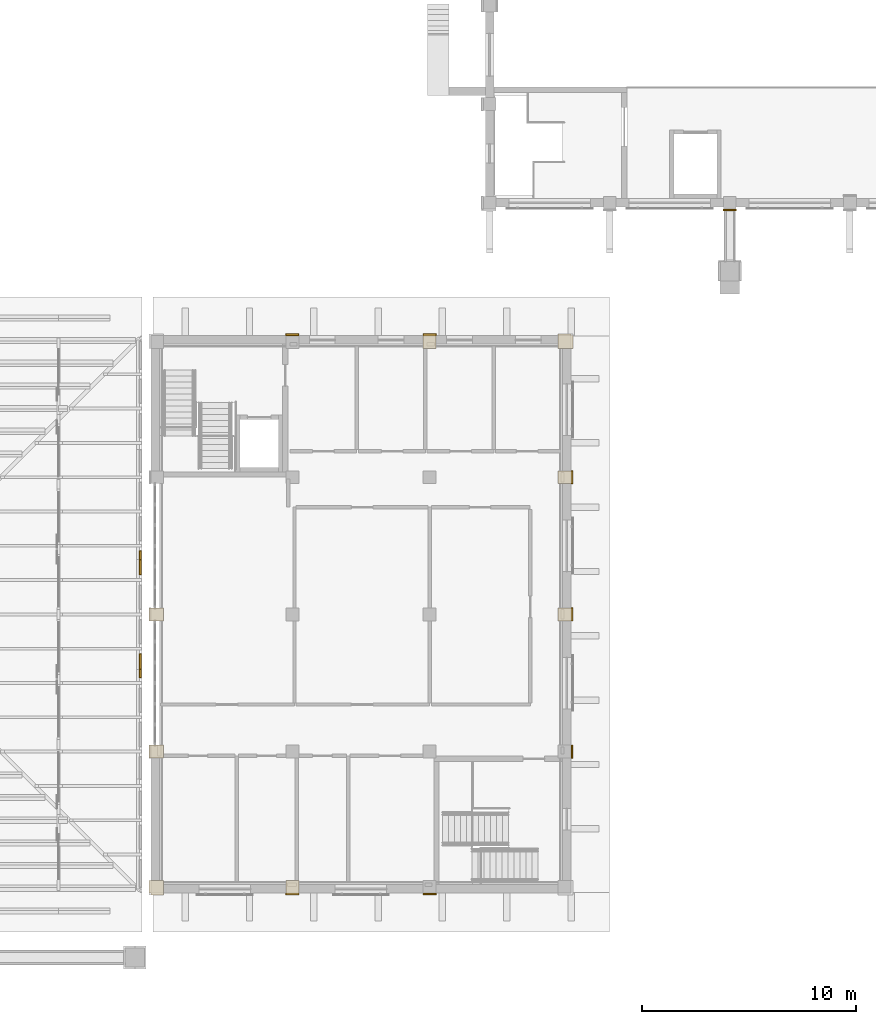
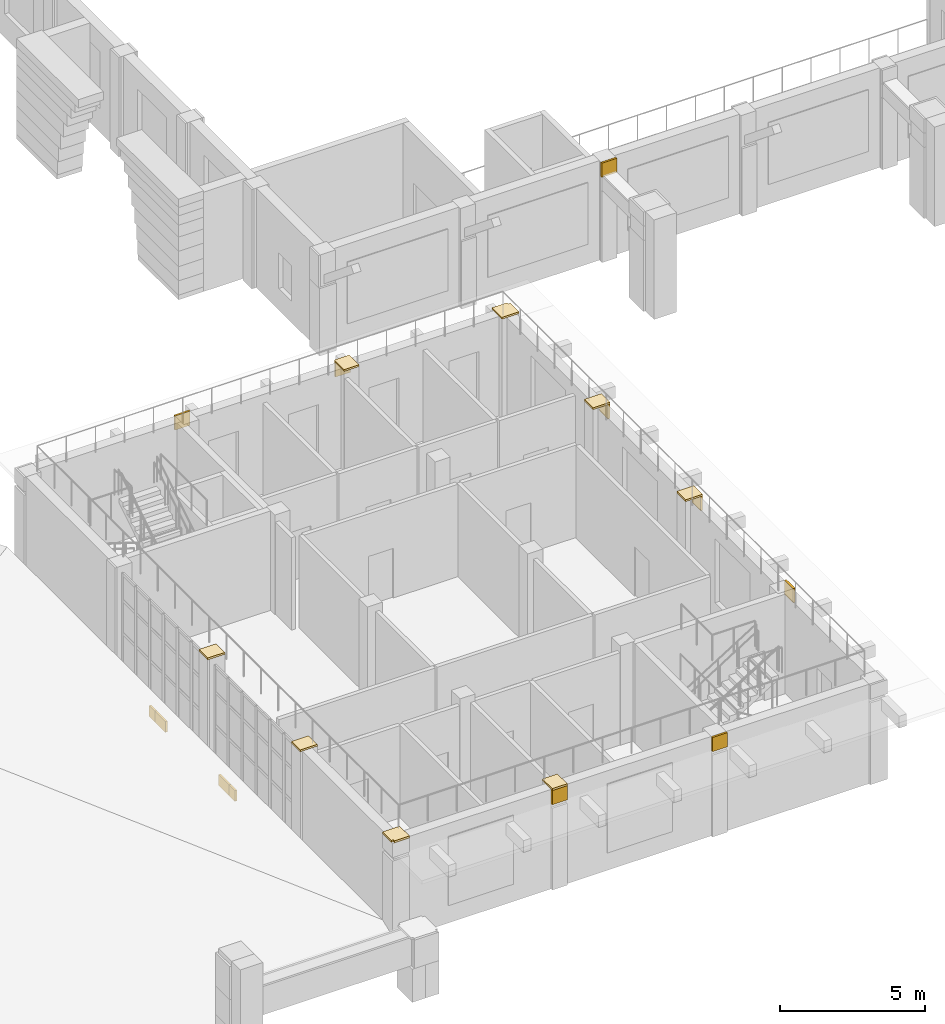
# One storey, part 66 of 68: 20 coverings.
"""IFC4 building model written with IfcOpenShell, lengths in metres."""

from ifc_helpers import new_model, si_unit, direction, frame, origin, place, context, subcontext, project, spatial, polyline, outline, extrude, material, layer, layer_set, type_object, element, save


model = new_model("IFC4")

# Units and contexts
model_context = context("Model", 3, precision=1e-05, world=origin(), true_north=direction((0.0, 1.0)))
body_context = subcontext(model_context, "Body", "Model", "MODEL_VIEW")
ifc_project = project(units=[si_unit("LENGTHUNIT", "METRE"), si_unit("AREAUNIT", "SQUARE_METRE"), si_unit("VOLUMEUNIT", "CUBIC_METRE"), si_unit("PLANEANGLEUNIT", "RADIAN"), si_unit("MASSUNIT", "GRAM", prefix="KILO")], contexts=[model_context])

# Site, building, storey
site_placement = place(None, origin())
site = spatial("IfcSite", under=ifc_project, at=site_placement, CompositionType="ELEMENT")
building_placement = place(site_placement, origin())
building = spatial("IfcBuilding", under=site, at=building_placement, Name="Wasatch Bagh Community Centre", CompositionType="ELEMENT")
storey_placement = place(building_placement, frame((0.0, 0.0, 8.39990234375)))
storey = spatial("IfcBuildingStorey", under=building, at=storey_placement, Name="L02", CompositionType="ELEMENT", Elevation=8.39990234375)

# Coverings
ifc_material = material(Name="Cast stone cladding", Category="masonry")
ifc_layer_1 = layer(ifc_material, 0.080078125)
ifc_layer_set_1 = layer_set([ifc_layer_1], Name="Cast stone cladding")
covering_type_1 = type_object("IfcCoveringType", Name="CL-B7 beam facing", PredefinedType="CLADDING", material=ifc_layer_set_1)
covering_1_placement = place(storey_placement, origin())
element("IfcCovering", 1, at=covering_1_placement, inside=storey, type_object=covering_type_1, Name="Beam facing", PredefinedType="CLADDING", context=body_context, shape_type="SweptSolid", body=[
    extrude(outline(polyline([(95.864990234375, 16.03857421875), (95.864990234375, 16.43994140625), (95.945068359375, 16.43994140625), (95.945068359375, 16.03857421875), (95.864990234375, 16.03857421875)])), origin(), (0.0, 0.0, 1.0), 0.457275390625),
])
covering_2_placement = place(storey_placement, origin())
element("IfcCovering", 2, at=covering_2_placement, inside=storey, type_object=covering_type_1, Name="Beam facing", PredefinedType="CLADDING", context=body_context, shape_type="SweptSolid", body=[
    extrude(outline(polyline([(95.864990234375, 16.43994140625), (95.864990234375, 17.161376953125), (95.945068359375, 17.161376953125), (95.945068359375, 16.43994140625), (95.864990234375, 16.43994140625)])), origin(), (0.0, 0.0, 1.0), 0.457275390625),
])
covering_3_placement = place(storey_placement, origin())
element("IfcCovering", 3, at=covering_3_placement, inside=storey, type_object=covering_type_1, Name="Beam facing", PredefinedType="CLADDING", context=body_context, shape_type="SweptSolid", body=[
    extrude(outline(polyline([(95.864990234375, 20.838623046875), (95.864990234375, 21.56005859375), (95.945068359375, 21.56005859375), (95.945068359375, 20.838623046875), (95.864990234375, 20.838623046875)])), origin(), (0.0, 0.0, 1.0), 0.457275390625),
])
covering_4_placement = place(storey_placement, origin())
element("IfcCovering", 4, at=covering_4_placement, inside=storey, type_object=covering_type_1, Name="Beam facing", PredefinedType="CLADDING", context=body_context, shape_type="SweptSolid", body=[
    extrude(outline(polyline([(95.864990234375, 21.56005859375), (95.864990234375, 21.96142578125), (95.945068359375, 21.96142578125), (95.945068359375, 21.56005859375), (95.864990234375, 21.56005859375)])), origin(), (0.0, 0.0, 1.0), 0.457275390625),
])
ifc_layer_2 = layer(ifc_material, 0.080078125)
ifc_layer_set_2 = layer_set([ifc_layer_2], Name="Cast stone cladding")
covering_type_2 = type_object("IfcCoveringType", Name="CL-C1 column facing", PredefinedType="CLADDING", material=ifc_layer_set_2)
covering_5_placement = place(storey_placement, frame((0.0, 0.0, 4.2001953125)))
element("IfcCovering", 5, at=covering_5_placement, inside=storey, type_object=covering_type_2, Name="Column facing", PredefinedType="CLADDING", context=body_context, shape_type="SweptSolid", body=[
    extrude(outline(polyline([(97.0, 5.919921875), (96.39990234375, 5.919921875), (96.39990234375, 6.0), (96.320068359375, 6.0), (96.320068359375, 6.60009765625), (97.0, 6.60009765625), (97.0, 5.919921875)])), origin(), (0.0, 0.0, 1.0), 0.079833984375),
])
covering_6_placement = place(storey_placement, frame((0.0, 0.0, 4.2001953125)))
element("IfcCovering", 6, at=covering_6_placement, inside=storey, type_object=covering_type_2, Name="Column facing", PredefinedType="CLADDING", context=body_context, shape_type="SweptSolid", body=[
    extrude(outline(polyline([(96.320068359375, 12.300048828125), (96.320068359375, 12.89990234375), (96.39990234375, 12.89990234375), (97.0, 12.89990234375), (97.0, 12.300048828125), (96.39990234375, 12.300048828125), (96.320068359375, 12.300048828125)])), origin(), (0.0, 0.0, 1.0), 0.079833984375),
])
covering_7_placement = place(storey_placement, frame((0.0, 0.0, 4.2001953125)))
element("IfcCovering", 7, at=covering_7_placement, inside=storey, type_object=covering_type_2, Name="Column facing", PredefinedType="CLADDING", context=body_context, shape_type="SweptSolid", body=[
    extrude(outline(polyline([(96.320068359375, 18.699951171875), (96.320068359375, 19.300048828125), (97.0, 19.300048828125), (97.0, 18.699951171875), (96.320068359375, 18.699951171875)])), origin(), (0.0, 0.0, 1.0), 0.079833984375),
])
covering_8_placement = place(storey_placement, frame((0.0, 0.0, 3.60009765625)))
element("IfcCovering", 8, at=covering_8_placement, inside=storey, type_object=covering_type_2, Name="Column facing", PredefinedType="CLADDING", context=body_context, shape_type="SweptSolid", body=[
    extrude(outline(polyline([(102.699951171875, 6.0), (103.300048828125, 6.0), (103.300048828125, 5.919921875), (102.699951171875, 5.919921875), (102.699951171875, 6.0)])), origin(), (0.0, 0.0, 1.0), 0.60009765625),
])
covering_9_placement = place(storey_placement, frame((0.0, 0.0, 4.2001953125)))
element("IfcCovering", 9, at=covering_9_placement, inside=storey, type_object=covering_type_2, Name="Column facing", PredefinedType="CLADDING", context=body_context, shape_type="SweptSolid", body=[
    extrude(outline(polyline([(103.300048828125, 5.919921875), (102.699951171875, 5.919921875), (102.699951171875, 6.60009765625), (103.300048828125, 6.60009765625), (103.300048828125, 5.919921875)])), origin(), (0.0, 0.0, 1.0), 0.079833984375),
])
covering_10_placement = place(storey_placement, frame((0.0, 0.0, 3.60009765625)))
element("IfcCovering", 10, at=covering_10_placement, inside=storey, type_object=covering_type_2, Name="Column facing", PredefinedType="CLADDING", context=body_context, shape_type="SweptSolid", body=[
    extrude(outline(polyline([(103.300048828125, 32.0), (102.699951171875, 32.0), (102.699951171875, 32.080078125), (103.300048828125, 32.080078125), (103.300048828125, 32.0)])), origin(), (0.0, 0.0, 1.0), 0.60009765625),
])
covering_11_placement = place(storey_placement, frame((0.0, 0.0, 3.60009765625)))
element("IfcCovering", 11, at=covering_11_placement, inside=storey, type_object=covering_type_2, Name="Column facing", PredefinedType="CLADDING", context=body_context, shape_type="SweptSolid", body=[
    extrude(outline(polyline([(109.10009765625, 6.0), (109.699951171875, 6.0), (109.699951171875, 5.919921875), (109.10009765625, 5.919921875), (109.10009765625, 6.0)])), origin(), (0.0, 0.0, 1.0), 0.60009765625),
])
covering_12_placement = place(storey_placement, frame((0.0, 0.0, 3.60009765625)))
element("IfcCovering", 12, at=covering_12_placement, inside=storey, type_object=covering_type_2, Name="Column facing", PredefinedType="CLADDING", context=body_context, shape_type="SweptSolid", body=[
    extrude(outline(polyline([(109.699951171875, 32.0), (109.10009765625, 32.0), (109.10009765625, 32.080078125), (109.699951171875, 32.080078125), (109.699951171875, 32.0)])), origin(), (0.0, 0.0, 1.0), 0.60009765625),
])
covering_13_placement = place(storey_placement, frame((0.0, 0.0, 4.2001953125)))
element("IfcCovering", 13, at=covering_13_placement, inside=storey, type_object=covering_type_2, Name="Column facing", PredefinedType="CLADDING", context=body_context, shape_type="SweptSolid", body=[
    extrude(outline(polyline([(109.699951171875, 31.39990234375), (109.10009765625, 31.39990234375), (109.10009765625, 32.080078125), (109.699951171875, 32.080078125), (109.699951171875, 31.39990234375)])), origin(), (0.0, 0.0, 1.0), 0.079833984375),
])
covering_14_placement = place(storey_placement, frame((0.0, 0.0, 3.60009765625)))
element("IfcCovering", 14, at=covering_14_placement, inside=storey, type_object=covering_type_2, Name="Column facing", PredefinedType="CLADDING", context=body_context, shape_type="SweptSolid", body=[
    extrude(outline(polyline([(116.0, 12.300048828125), (116.0, 12.89990234375), (116.080078125, 12.89990234375), (116.080078125, 12.300048828125), (116.0, 12.300048828125)])), origin(), (0.0, 0.0, 1.0), 0.60009765625),
])
covering_15_placement = place(storey_placement, frame((0.0, 0.0, 3.60009765625)))
element("IfcCovering", 15, at=covering_15_placement, inside=storey, type_object=covering_type_2, Name="Column facing", PredefinedType="CLADDING", context=body_context, shape_type="SweptSolid", body=[
    extrude(outline(polyline([(116.0, 18.699951171875), (116.0, 19.300048828125), (116.080078125, 19.300048828125), (116.080078125, 18.699951171875), (116.0, 18.699951171875)])), origin(), (0.0, 0.0, 1.0), 0.60009765625),
])
covering_16_placement = place(storey_placement, frame((0.0, 0.0, 4.2001953125)))
element("IfcCovering", 16, at=covering_16_placement, inside=storey, type_object=covering_type_2, Name="Column facing", PredefinedType="CLADDING", context=body_context, shape_type="SweptSolid", body=[
    extrude(outline(polyline([(115.39990234375, 18.699951171875), (115.39990234375, 19.300048828125), (116.080078125, 19.300048828125), (116.080078125, 18.699951171875), (115.39990234375, 18.699951171875)])), origin(), (0.0, 0.0, 1.0), 0.079833984375),
])
covering_17_placement = place(storey_placement, frame((0.0, 0.0, 3.60009765625)))
element("IfcCovering", 17, at=covering_17_placement, inside=storey, type_object=covering_type_2, Name="Column facing", PredefinedType="CLADDING", context=body_context, shape_type="SweptSolid", body=[
    extrude(outline(polyline([(116.0, 25.10009765625), (116.0, 25.699951171875), (116.080078125, 25.699951171875), (116.080078125, 25.10009765625), (116.0, 25.10009765625)])), origin(), (0.0, 0.0, 1.0), 0.60009765625),
])
covering_18_placement = place(storey_placement, frame((0.0, 0.0, 4.2001953125)))
element("IfcCovering", 18, at=covering_18_placement, inside=storey, type_object=covering_type_2, Name="Column facing", PredefinedType="CLADDING", context=body_context, shape_type="SweptSolid", body=[
    extrude(outline(polyline([(115.39990234375, 25.10009765625), (115.39990234375, 25.699951171875), (116.080078125, 25.699951171875), (116.080078125, 25.10009765625), (115.39990234375, 25.10009765625)])), origin(), (0.0, 0.0, 1.0), 0.079833984375),
])
covering_19_placement = place(storey_placement, frame((0.0, 0.0, 4.2001953125)))
element("IfcCovering", 19, at=covering_19_placement, inside=storey, type_object=covering_type_2, Name="Column facing", PredefinedType="CLADDING", context=body_context, shape_type="SweptSolid", body=[
    extrude(outline(polyline([(116.080078125, 32.0), (116.080078125, 31.39990234375), (116.0, 31.39990234375), (115.39990234375, 31.39990234375), (115.39990234375, 32.080078125), (116.0, 32.080078125), (116.0, 32.0), (116.080078125, 32.0)])), origin(), (0.0, 0.0, 1.0), 0.079833984375),
])
covering_20_placement = place(storey_placement, frame((0.0, 0.0, 3.60009765625)))
element("IfcCovering", 20, at=covering_20_placement, inside=storey, type_object=covering_type_2, Name="Column facing", PredefinedType="CLADDING", context=body_context, shape_type="SweptSolid", body=[
    extrude(outline(polyline([(123.10009765625, 37.89990234375), (123.699951171875, 37.89990234375), (123.699951171875, 37.820068359375), (123.10009765625, 37.820068359375), (123.10009765625, 37.89990234375)])), origin(), (0.0, 0.0, 1.0), 0.60009765625),
])

save(model, "model.ifc")
